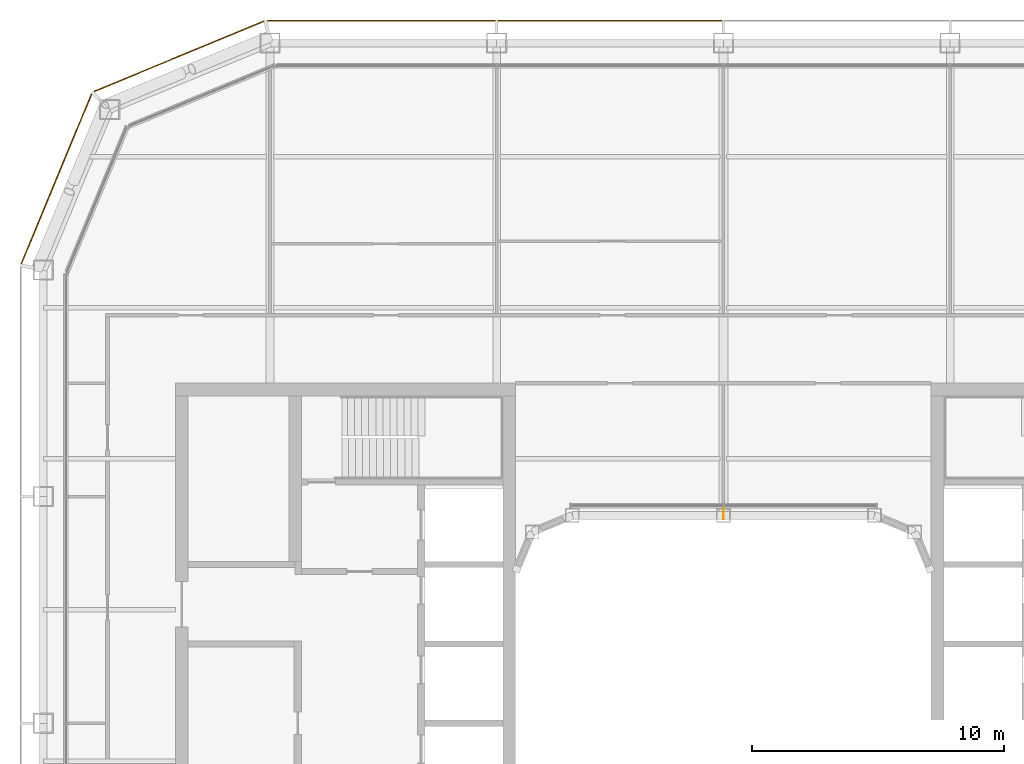
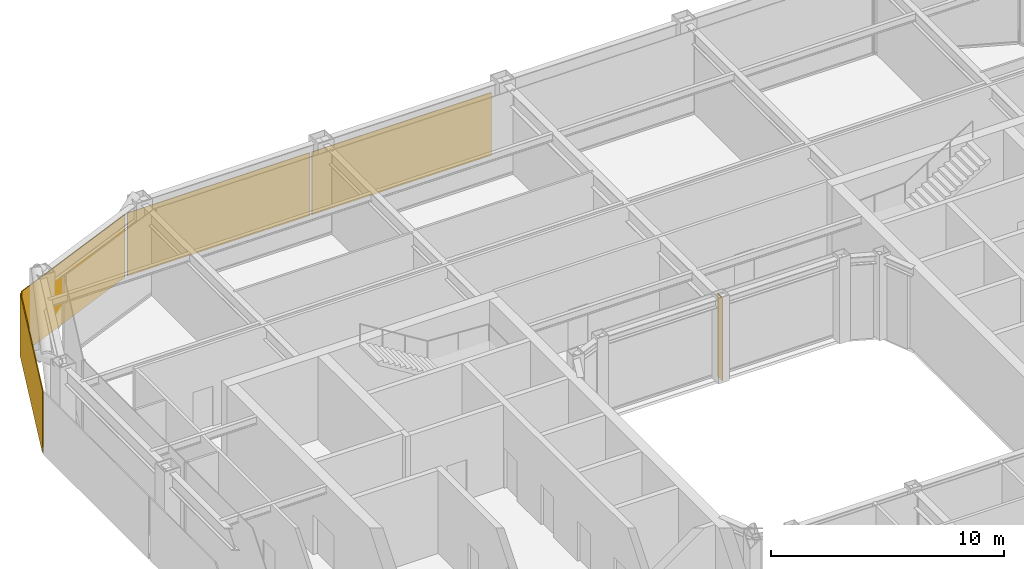
# One storey, part 18 of 19: 4 coverings, 1 shading device.
"""IFC4 building model written with IfcOpenShell, lengths in metres."""

from ifc_helpers import new_model, si_unit, direction, frame, origin, origin_2d, place, context, subcontext, project, spatial, rectangle, extrude, material, layer, layer_set, type_object, element, save


model = new_model("IFC4")

# Units and contexts
model_context = context("Model", 3, precision=1e-05, world=origin(), true_north=direction((0.0, 1.0)))
body_context = subcontext(model_context, "Body", "Model", "MODEL_VIEW")
ifc_project = project(units=[si_unit("LENGTHUNIT", "METRE"), si_unit("AREAUNIT", "SQUARE_METRE"), si_unit("VOLUMEUNIT", "CUBIC_METRE"), si_unit("PLANEANGLEUNIT", "RADIAN"), si_unit("MASSUNIT", "GRAM", prefix="KILO")], contexts=[model_context])

# Site, building, storey
site_placement = place(None, origin())
site = spatial("IfcSite", under=ifc_project, at=site_placement, CompositionType="ELEMENT")
building_placement = place(site_placement, origin())
building = spatial("IfcBuilding", under=site, at=building_placement, Name="Siwar Civic Tower", CompositionType="ELEMENT")
storey_placement = place(building_placement, frame((0.0, 0.0, 264.699951171875)))
storey = spatial("IfcBuildingStorey", under=building, at=storey_placement, Name="L57", CompositionType="ELEMENT", Elevation=264.699951171875)

# Shading device
ifc_material_1 = material(Name="Aluminium 6063-T6", Category="aluminium")
ifc_layer_1 = layer(ifc_material_1, 0.02001953125)
ifc_layer_set_1 = layer_set([ifc_layer_1], Name="Aluminium 6063-T6")
shading_device_type = type_object("IfcShadingDeviceType", Name="ENV-FIN", PredefinedType="JALOUSIE", material=ifc_layer_set_1)
shading_device_placement = place(storey_placement, frame((0.0, 8.320068359375, 0.0), z_axis=(0.0, 0.0, 1.0), x_axis=(-1.0, 0.0, 0.0)))
element("IfcShadingDevice", 1, at=shading_device_placement, inside=storey, type_object=shading_device_type, Name="SUNSHADE fin WN 1", PredefinedType="JALOUSIE", context=body_context, shape_type="SweptSolid", body=[
    extrude(rectangle(XDim=0.02001953125, YDim=0.449951171875, at=origin_2d()), origin(), (0.0, 0.0, 1.0), 4.35009765625),
])

# Coverings
ifc_material_2 = material(Name="Perforated aluminium cassette, pale metal", Category="aluminium")
ifc_layer_2 = layer(ifc_material_2, 0.0400390625)
ifc_layer_set_2 = layer_set([ifc_layer_2], Name="Perforated aluminium cassette, pale metal")
covering_type_1 = type_object("IfcCoveringType", Name="ENV-OUTER SKIN OS-1", PredefinedType="CLADDING", material=ifc_layer_set_2)
covering_1_placement = place(storey_placement, frame((-4.5, 27.89990234375, -0.14990234375), z_axis=(0.0, 0.0, 1.0), x_axis=(-1.0, 0.0, 0.0)))
element("IfcCovering", 2, at=covering_1_placement, inside=storey, type_object=covering_type_1, Name="OUTER SKIN OS-1 N 3", PredefinedType="CLADDING", context=body_context, shape_type="SweptSolid", body=[
    extrude(rectangle(XDim=8.89990234375, YDim=0.0400390625, at=origin_2d()), origin(), (0.0, 0.0, 1.0), 3.300048828125),
])
covering_2_placement = place(storey_placement, frame((-13.57958984375, 27.89990234375, -0.14990234375), z_axis=(0.0, 0.0, 1.0), x_axis=(-1.0, 0.0, 0.0)))
element("IfcCovering", 3, at=covering_2_placement, inside=storey, type_object=covering_type_1, Name="OUTER SKIN OS-1 N 4", PredefinedType="CLADDING", context=body_context, shape_type="SweptSolid", body=[
    extrude(rectangle(XDim=9.05908203125, YDim=0.0400390625, at=origin_2d()), origin(), (0.0, 0.0, 1.0), 3.300048828125),
])
covering_3_placement = place(storey_placement, frame((-21.615966796875, 26.476318359375, -0.14990234375), z_axis=(0.0, 0.0, 1.0), x_axis=(-0.923879532511, -0.382683432365, 0.0)))
element("IfcCovering", 4, at=covering_3_placement, inside=storey, type_object=covering_type_1, Name="OUTER SKIN OS-1 NW1 1", PredefinedType="CLADDING", context=body_context, shape_type="SweptSolid", body=[
    extrude(rectangle(XDim=7.300048828125, YDim=0.0400390625, at=origin_2d()), origin(), (0.0, 0.0, 1.0), 3.300048828125),
])
ifc_material_3 = material(Name="Perforated aluminium cassette, pale metal", Category="aluminium")
ifc_layer_3 = layer(ifc_material_3, 0.044921875)
ifc_layer_set_3 = layer_set([ifc_layer_3], Name="Perforated aluminium cassette, pale metal")
covering_type_2 = type_object("IfcCoveringType", Name="ENV-OUTER SKIN OS-2", PredefinedType="CLADDING", material=ifc_layer_set_3)
covering_4_placement = place(storey_placement, frame((-26.476318359375, 21.615966796875, -0.14990234375), z_axis=(0.0, 0.0, 1.0), x_axis=(-0.382683432365, -0.923879532511, 0.0)))
element("IfcCovering", 5, at=covering_4_placement, inside=storey, type_object=covering_type_2, Name="OUTER SKIN OS-2 NW2 1", PredefinedType="CLADDING", context=body_context, shape_type="SweptSolid", body=[
    extrude(rectangle(XDim=7.300048828125, YDim=0.044921875, at=origin_2d()), origin(), (0.0, 0.0, 1.0), 3.300048828125),
])

save(model, "model.ifc")
